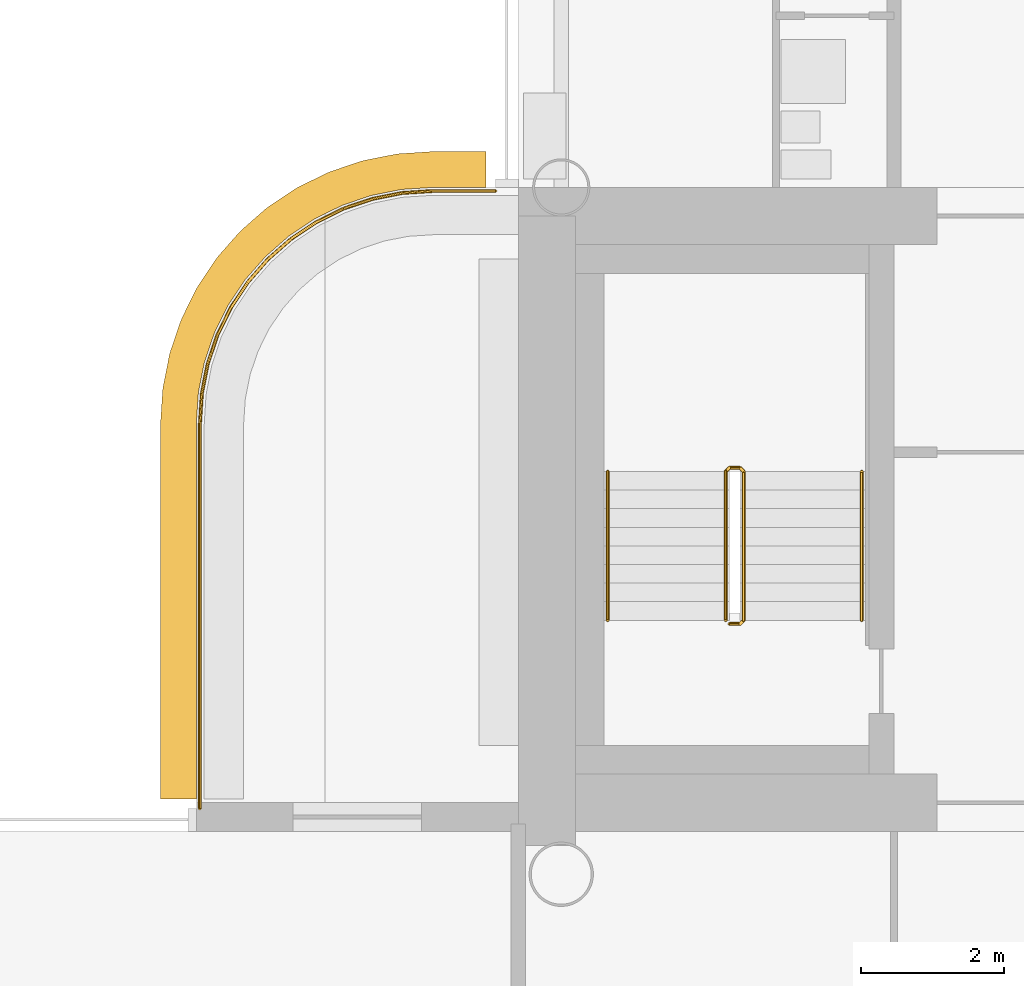
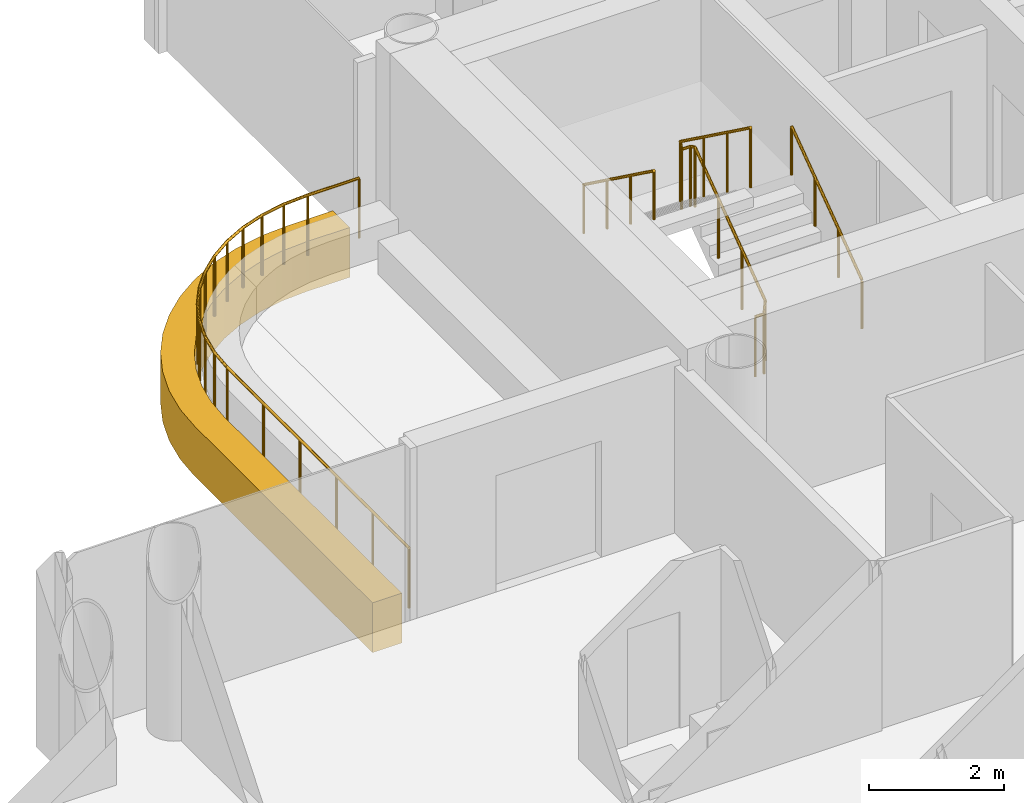
# One storey, part 19 of 20: 4 railings, 1 covering.
"""IFC4 building model written with IfcOpenShell, lengths in metres."""

from ifc_helpers import new_model, si_unit, direction, frame, origin, origin_2d, place, context, subcontext, project, spatial, polyline, circle, outline, extrude, material, layer, layer_set, type_object, element, save


model = new_model("IFC4")

# Units and contexts
model_context = context("Model", 3, precision=1e-05, world=origin(), true_north=direction((0.0, 1.0)))
body_context = subcontext(model_context, "Body", "Model", "MODEL_VIEW")
ifc_project = project(units=[si_unit("LENGTHUNIT", "METRE"), si_unit("AREAUNIT", "SQUARE_METRE"), si_unit("VOLUMEUNIT", "CUBIC_METRE"), si_unit("PLANEANGLEUNIT", "RADIAN"), si_unit("MASSUNIT", "GRAM", prefix="KILO")], contexts=[model_context])

# Site, building, storey
site_placement = place(None, origin())
site = spatial("IfcSite", under=ifc_project, at=site_placement, CompositionType="ELEMENT")
building_placement = place(site_placement, origin())
building = spatial("IfcBuilding", under=site, at=building_placement, Name="Ipe Terrace Towers", CompositionType="ELEMENT")
storey_placement = place(building_placement, frame((0.0, 0.0, 167.699951171875)))
storey = spatial("IfcBuildingStorey", under=building, at=storey_placement, Name="L46", CompositionType="ELEMENT", Elevation=167.699951171875)

# Railing
ifc_material_1 = material(Name="Stainless steel S316", Category="steel")
railing_type_1 = type_object("IfcRailingType", Name="GUARD 1100", PredefinedType="BALUSTRADE", material=ifc_material_1)
railing_1_placement = place(storey_placement, frame((28.929931640625, 15.699951171875, -0.02001953125)))
element("IfcRailing", 1, at=railing_1_placement, inside=storey, type_object=railing_type_1, Name="guard", PredefinedType="BALUSTRADE", context=body_context, shape_type="SweptSolid", body=[
    extrude(circle(Radius=0.02392578125, at=origin_2d()), frame((0.0, 0.0, 1.076171875), z_axis=(-1.0, 0.0, 0.0), x_axis=(0.0, -1.0, 0.0)), (0.0, 0.0, 1.0), 0.8779296875),
    extrude(circle(Radius=0.02392578125, at=origin_2d()), frame((-0.8779296875, 0.0, 1.076171875), z_axis=(-0.997872833927, -0.065190546171, 0.0), x_axis=(0.065190546171, -0.997872833927, 0.0)), (0.0, 0.0, 1.0), 0.427001953125),
    extrude(circle(Radius=0.02392578125, at=origin_2d()), frame((-1.303955078125, -0.02783203125, 1.076171875), z_axis=(-0.980756958892, -0.195232649896, 0.0), x_axis=(0.195232649896, -0.980756958892, 0.0)), (0.0, 0.0, 1.0), 0.42529296875),
    extrude(circle(Radius=0.02392578125, at=origin_2d()), frame((-1.720947265625, -0.11083984375, 1.076171875), z_axis=(-0.947355280148, -0.320184280026, 0.0), x_axis=(0.320184280026, -0.947355280148, 0.0)), (0.0, 0.0, 1.0), 0.425537109375),
    extrude(circle(Radius=0.02392578125, at=origin_2d()), frame((-2.1240234375, -0.2470703125, 1.076171875), z_axis=(-0.895801099535, -0.444455160923, 0.0), x_axis=(0.444455160923, -0.895801099535, 0.0)), (0.0, 0.0, 1.0), 0.425048828125),
    extrude(circle(Radius=0.02392578125, at=origin_2d()), frame((-2.5048828125, -0.43603515625, 1.076171875), z_axis=(-0.83151910003, -0.55549616226, 0.0), x_axis=(0.55549616226, -0.83151910003, 0.0)), (0.0, 0.0, 1.0), 0.424560546875),
    extrude(circle(Radius=0.02392578125, at=origin_2d()), frame((-2.85791015625, -0.671875, 1.076171875), z_axis=(-0.752612255774, -0.658463964434, 0.0), x_axis=(0.658463964434, -0.752612255774, 0.0)), (0.0, 0.0, 1.0), 0.42529296875),
    extrude(circle(Radius=0.02392578125, at=origin_2d()), frame((-3.177978515625, -0.951904296875, 1.076171875), z_axis=(-0.658463964434, -0.752612255774, 0.0), x_axis=(0.752612255774, -0.658463964434, 0.0)), (0.0, 0.0, 1.0), 0.42529296875),
    extrude(circle(Radius=0.02392578125, at=origin_2d()), frame((-3.4580078125, -1.27197265625, 1.076171875), z_axis=(-0.55549616226, -0.83151910003, 0.0), x_axis=(0.83151910003, -0.55549616226, 0.0)), (0.0, 0.0, 1.0), 0.424560546875),
    extrude(circle(Radius=0.02392578125, at=origin_2d()), frame((-3.69384765625, -1.625, 1.076171875), z_axis=(-0.444455160923, -0.895801099535, 0.0), x_axis=(0.895801099535, -0.444455160923, 0.0)), (0.0, 0.0, 1.0), 0.425048828125),
    extrude(circle(Radius=0.02392578125, at=origin_2d()), frame((-3.8828125, -2.005859375, 1.076171875), z_axis=(-0.320184280026, -0.947355280148, 0.0), x_axis=(0.947355280148, -0.320184280026, 0.0)), (0.0, 0.0, 1.0), 0.425537109375),
    extrude(circle(Radius=0.02392578125, at=origin_2d()), frame((-4.01904296875, -2.408935546875, 1.076171875), z_axis=(-0.195232649896, -0.980756958892, 0.0), x_axis=(0.980756958892, -0.195232649896, 0.0)), (0.0, 0.0, 1.0), 0.42529296875),
    extrude(circle(Radius=0.02392578125, at=origin_2d()), frame((-4.10205078125, -2.825927734375, 1.076171875), z_axis=(-0.065190546171, -0.997872833927, 0.0), x_axis=(0.997872833927, -0.065190546171, 0.0)), (0.0, 0.0, 1.0), 0.427001953125),
    extrude(circle(Radius=0.02392578125, at=origin_2d()), frame((-4.1298828125, -3.251953125, 1.076171875), z_axis=(0.0, -1.0, 0.0), x_axis=(1.0, 0.0, 0.0)), (0.0, 0.0, 1.0), 5.3779296875),
    extrude(circle(Radius=0.02099609375, at=origin_2d()), origin(), (0.0, 0.0, 1.0), 1.052001953125),
    extrude(circle(Radius=0.02099609375, at=origin_2d()), frame((-0.8779296875, 0.0, 0.0)), (0.0, 0.0, 1.0), 1.052001953125),
    extrude(circle(Radius=0.02099609375, at=origin_2d()), frame((-1.303955078125, -0.02783203125, 0.0)), (0.0, 0.0, 1.0), 1.052001953125),
    extrude(circle(Radius=0.02099609375, at=origin_2d()), frame((-1.720947265625, -0.11083984375, 0.0)), (0.0, 0.0, 1.0), 1.052001953125),
    extrude(circle(Radius=0.02099609375, at=origin_2d()), frame((-2.1240234375, -0.2470703125, 0.0)), (0.0, 0.0, 1.0), 1.052001953125),
    extrude(circle(Radius=0.02099609375, at=origin_2d()), frame((-2.5048828125, -0.43603515625, 0.0)), (0.0, 0.0, 1.0), 1.052001953125),
    extrude(circle(Radius=0.02099609375, at=origin_2d()), frame((-2.85791015625, -0.671875, 0.0)), (0.0, 0.0, 1.0), 1.052001953125),
    extrude(circle(Radius=0.02099609375, at=origin_2d()), frame((-3.177978515625, -0.951904296875, 0.0)), (0.0, 0.0, 1.0), 1.052001953125),
    extrude(circle(Radius=0.02099609375, at=origin_2d()), frame((-3.4580078125, -1.27197265625, 0.0)), (0.0, 0.0, 1.0), 1.052001953125),
    extrude(circle(Radius=0.02099609375, at=origin_2d()), frame((-3.69384765625, -1.625, 0.0)), (0.0, 0.0, 1.0), 1.052001953125),
    extrude(circle(Radius=0.02099609375, at=origin_2d()), frame((-3.8828125, -2.005859375, 0.0)), (0.0, 0.0, 1.0), 1.052001953125),
    extrude(circle(Radius=0.02099609375, at=origin_2d()), frame((-4.01904296875, -2.408935546875, 0.0)), (0.0, 0.0, 1.0), 1.052001953125),
    extrude(circle(Radius=0.02099609375, at=origin_2d()), frame((-4.10205078125, -2.825927734375, 0.0)), (0.0, 0.0, 1.0), 1.052001953125),
    extrude(circle(Radius=0.02099609375, at=origin_2d()), frame((-4.1298828125, -3.251953125, 0.0)), (0.0, 0.0, 1.0), 1.052001953125),
    extrude(circle(Radius=0.02099609375, at=origin_2d()), frame((-4.1298828125, -4.32763671875, 0.0)), (0.0, 0.0, 1.0), 1.052001953125),
    extrude(circle(Radius=0.02099609375, at=origin_2d()), frame((-4.1298828125, -5.403076171875, 0.0)), (0.0, 0.0, 1.0), 1.052001953125),
    extrude(circle(Radius=0.02099609375, at=origin_2d()), frame((-4.1298828125, -6.478759765625, 0.0)), (0.0, 0.0, 1.0), 1.052001953125),
    extrude(circle(Radius=0.02099609375, at=origin_2d()), frame((-4.1298828125, -7.55419921875, 0.0)), (0.0, 0.0, 1.0), 1.052001953125),
    extrude(circle(Radius=0.02099609375, at=origin_2d()), frame((-4.1298828125, -8.6298828125, 0.0)), (0.0, 0.0, 1.0), 1.052001953125),
])

# Covering
ifc_material_2 = material(Name="Concrete C50/60 precast, buff finish", Category="concrete")
ifc_layer = layer(ifc_material_2, 0.5)
ifc_layer_set = layer_set([ifc_layer], Name="STONE EDGE BAND 500 x 900")
covering_type = type_object("IfcCoveringType", Name="STONE EDGE BAND 500 x 900", PredefinedType="CLADDING", material=ifc_layer_set)
covering_placement = place(storey_placement, frame((0.0, 0.0, -0.719970703125)))
element("IfcCovering", 2, at=covering_placement, inside=storey, type_object=covering_type, Name="stone edge band", PredefinedType="CLADDING", context=body_context, shape_type="SweptSolid", body=[
    extrude(outline(polyline([(24.25, 12.449951171875), (24.25, 7.199951171875), (24.75, 7.199951171875), (24.75, 12.449951171875), (24.778076171875, 12.881103515625), (24.862060546875, 13.303955078125), (25.0009765625, 13.712890625), (25.19189453125, 14.10009765625), (25.431884765625, 14.458984375), (25.717041015625, 14.782958984375), (26.041015625, 15.068115234375), (26.39990234375, 15.30810546875), (26.787109375, 15.4990234375), (27.196044921875, 15.637939453125), (27.618896484375, 15.721923828125), (28.050048828125, 15.75), (28.800048828125, 15.75), (28.800048828125, 16.25), (28.050048828125, 16.25), (28.01708984375, 16.2490234375), (27.5869140625, 16.220947265625), (27.52197265625, 16.2119140625), (27.097900390625, 16.1279296875), (27.034912109375, 16.111083984375), (26.6259765625, 15.971923828125), (26.56591796875, 15.947021484375), (26.178955078125, 15.756103515625), (26.1220703125, 15.72412109375), (25.762939453125, 15.48388671875), (25.7109375, 15.444091796875), (25.386962890625, 15.158935546875), (25.341064453125, 15.113037109375), (25.055908203125, 14.7890625), (25.01611328125, 14.737060546875), (24.77587890625, 14.3779296875), (24.743896484375, 14.321044921875), (24.552978515625, 13.93408203125), (24.528076171875, 13.8740234375), (24.388916015625, 13.465087890625), (24.3720703125, 13.402099609375), (24.2880859375, 12.97802734375), (24.279052734375, 12.9130859375), (24.2509765625, 12.48291015625), (24.25, 12.449951171875)])), origin(), (0.0, 0.0, 1.0), 0.89990234375),
])

# Railings
ifc_material_3 = material(Name="Steel S355", Category="steel")
railing_type_2 = type_object("IfcRailingType", Name="Stair guard 1100", PredefinedType="GUARDRAIL", material=ifc_material_3)
railing_2_placement = place(storey_placement, frame((32.199951171875, 9.64990234375, 0.0)))
element("IfcRailing", 3, at=railing_2_placement, inside=storey, type_object=railing_type_2, Name="L46 T2-ST1 stair guard 1", PredefinedType="GUARDRAIL", context=body_context, shape_type="SweptSolid", body=[
    extrude(circle(Radius=0.02392578125, at=origin_2d()), frame((0.0, 0.0, 1.076171875), z_axis=(1.0, 0.0, 0.0), x_axis=(0.0, 1.0, 0.0)), (0.0, 0.0, 1.0), 0.150146484375),
    extrude(circle(Radius=0.02392578125, at=origin_2d()), frame((0.150146484375, 0.0, 1.076171875), z_axis=(0.246893586699, 0.248103849378, 0.936743314239), x_axis=(-0.708833529934, 0.705375805398, 0.0)), (0.0, 0.0, 1.0), 0.20166015625),
    extrude(circle(Radius=0.02392578125, at=origin_2d()), frame((0.199951171875, 0.050048828125, 1.26513671875), z_axis=(0.0, 0.809068575486, 0.587714250432), x_axis=(-1.0, 0.0, 0.0)), (0.0, 0.0, 1.0), 2.571044921875),
    extrude(circle(Radius=0.02392578125, at=origin_2d()), frame((0.199951171875, 2.130126953125, 2.77587890625), z_axis=(-0.705375805398, 0.708833529934, 0.0), x_axis=(-0.708833529934, -0.705375805398, 0.0)), (0.0, 0.0, 1.0), 0.070556640625),
    extrude(circle(Radius=0.02392578125, at=origin_2d()), frame((0.150146484375, 2.18017578125, 2.77587890625), z_axis=(-1.0, 0.0, 0.0), x_axis=(0.0, -1.0, 0.0)), (0.0, 0.0, 1.0), 0.150146484375),
    extrude(circle(Radius=0.02392578125, at=origin_2d()), frame((0.0, 2.18017578125, 2.77587890625), z_axis=(-0.248029566107, -0.248029566107, 0.936462849596), x_axis=(0.707106781187, -0.707106781187, 0.0)), (0.0, 0.0, 1.0), 0.201904296875),
    extrude(circle(Radius=0.02392578125, at=origin_2d()), frame((-0.050048828125, 2.130126953125, 2.96484375), z_axis=(0.0, -0.809023421508, 0.587776406001), x_axis=(1.0, 0.0, 0.0)), (0.0, 0.0, 1.0), 2.571044921875),
    extrude(circle(Radius=0.02099609375, at=origin_2d()), origin(), (0.0, 0.0, 1.0), 1.052001953125),
    extrude(circle(Radius=0.02099609375, at=origin_2d()), frame((0.150146484375, 0.0, 0.0)), (0.0, 0.0, 1.0), 1.052001953125),
    extrude(circle(Radius=0.02099609375, at=origin_2d()), frame((0.199951171875, 0.050048828125, 0.18896484375)), (0.0, 0.0, 1.0), 1.052001953125),
    extrude(circle(Radius=0.02099609375, at=origin_2d()), frame((0.199951171875, 0.743408203125, 0.692626953125)), (0.0, 0.0, 1.0), 1.052001953125),
    extrude(circle(Radius=0.02099609375, at=origin_2d()), frame((0.199951171875, 1.436767578125, 1.1962890625)), (0.0, 0.0, 1.0), 1.052001953125),
    extrude(circle(Radius=0.02099609375, at=origin_2d()), frame((0.199951171875, 2.130126953125, 1.699951171875)), (0.0, 0.0, 1.0), 1.052001953125),
    extrude(circle(Radius=0.02099609375, at=origin_2d()), frame((0.150146484375, 2.18017578125, 1.699951171875)), (0.0, 0.0, 1.0), 1.052001953125),
    extrude(circle(Radius=0.02099609375, at=origin_2d()), frame((0.0, 2.18017578125, 1.699951171875)), (0.0, 0.0, 1.0), 1.052001953125),
    extrude(circle(Radius=0.02099609375, at=origin_2d()), frame((-0.050048828125, 2.130126953125, 1.888916015625)), (0.0, 0.0, 1.0), 1.052001953125),
    extrude(circle(Radius=0.02099609375, at=origin_2d()), frame((-0.050048828125, 1.436767578125, 2.392578125)), (0.0, 0.0, 1.0), 1.052001953125),
    extrude(circle(Radius=0.02099609375, at=origin_2d()), frame((-0.050048828125, 0.743408203125, 2.896484375)), (0.0, 0.0, 1.0), 1.052001953125),
    extrude(circle(Radius=0.02099609375, at=origin_2d()), frame((-0.050048828125, 0.050048828125, 3.400146484375)), (0.0, 0.0, 1.0), 1.052001953125),
])
ifc_material_4 = material(Name="Stainless steel grade 304", Category="steel")
railing_type_3 = type_object("IfcRailingType", Name="Stair handrail 900", PredefinedType="HANDRAIL", material=ifc_material_4)
railing_3_placement = place(storey_placement, frame((34.050048828125, 9.699951171875, 0.18896484375)))
element("IfcRailing", 4, at=railing_3_placement, inside=storey, type_object=railing_type_3, Name="L46 T2-ST1 stair handrail 1", PredefinedType="HANDRAIL", context=body_context, shape_type="SweptSolid", body=[
    extrude(circle(Radius=0.02392578125, at=origin_2d()), frame((0.0, 0.0, 0.8759765625), z_axis=(0.0, 0.809068575486, 0.587714250432), x_axis=(-1.0, 0.0, 0.0)), (0.0, 0.0, 1.0), 2.571044921875),
    extrude(circle(Radius=0.02099609375, at=origin_2d()), origin(), (0.0, 0.0, 1.0), 0.851806640625),
    extrude(circle(Radius=0.02099609375, at=origin_2d()), frame((0.0, 0.693359375, 0.503662109375)), (0.0, 0.0, 1.0), 0.851806640625),
    extrude(circle(Radius=0.02099609375, at=origin_2d()), frame((0.0, 1.38671875, 1.00732421875)), (0.0, 0.0, 1.0), 0.851806640625),
    extrude(circle(Radius=0.02099609375, at=origin_2d()), frame((0.0, 2.080078125, 1.510986328125)), (0.0, 0.0, 1.0), 0.851806640625),
])
railing_4_placement = place(storey_placement, frame((30.5, 11.780029296875, 1.888916015625)))
element("IfcRailing", 5, at=railing_4_placement, inside=storey, type_object=railing_type_3, Name="L46 T2-ST1 stair handrail 2", PredefinedType="HANDRAIL", context=body_context, shape_type="SweptSolid", body=[
    extrude(circle(Radius=0.02392578125, at=origin_2d()), frame((0.0, 0.0, 0.8759765625), z_axis=(0.0, -0.809023421508, 0.587776406001), x_axis=(1.0, 0.0, 0.0)), (0.0, 0.0, 1.0), 2.571044921875),
    extrude(circle(Radius=0.02099609375, at=origin_2d()), origin(), (0.0, 0.0, 1.0), 0.851806640625),
    extrude(circle(Radius=0.02099609375, at=origin_2d()), frame((0.0, -0.693359375, 0.503662109375)), (0.0, 0.0, 1.0), 0.851806640625),
    extrude(circle(Radius=0.02099609375, at=origin_2d()), frame((0.0, -1.38671875, 1.007568359375)), (0.0, 0.0, 1.0), 0.851806640625),
    extrude(circle(Radius=0.02099609375, at=origin_2d()), frame((0.0, -2.080078125, 1.51123046875)), (0.0, 0.0, 1.0), 0.851806640625),
])

save(model, "model.ifc")
